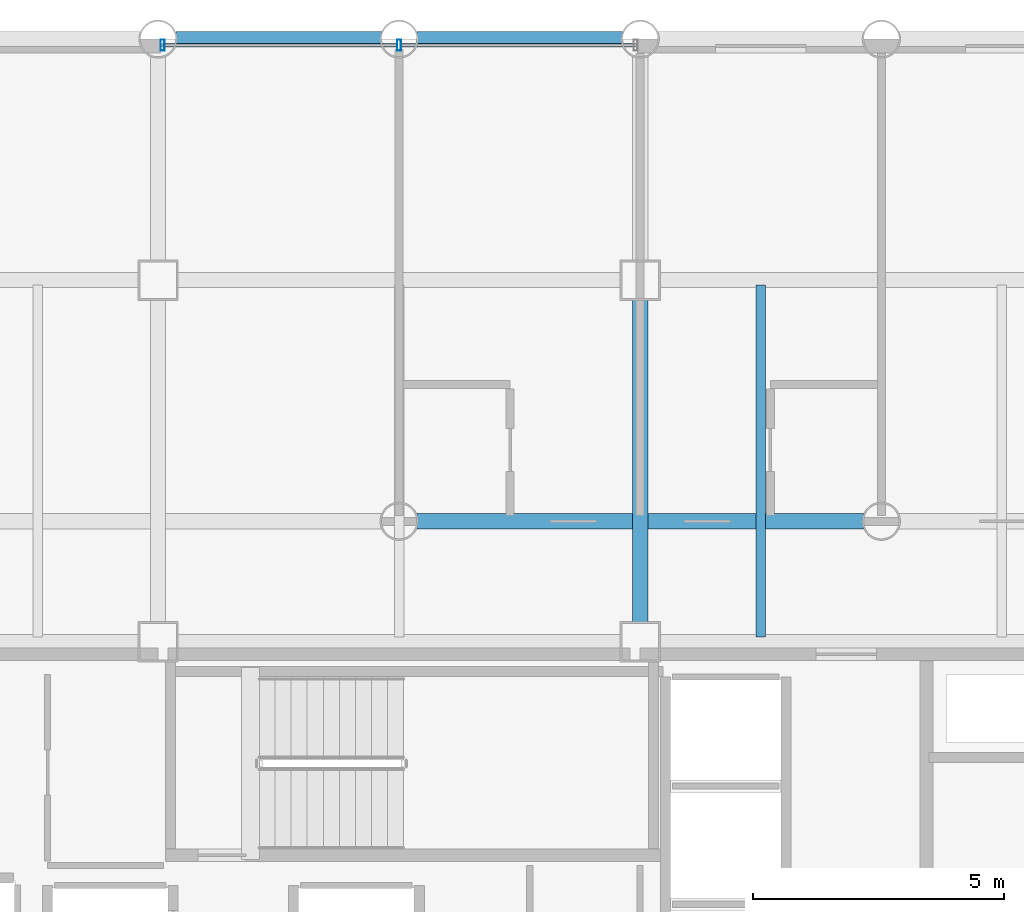
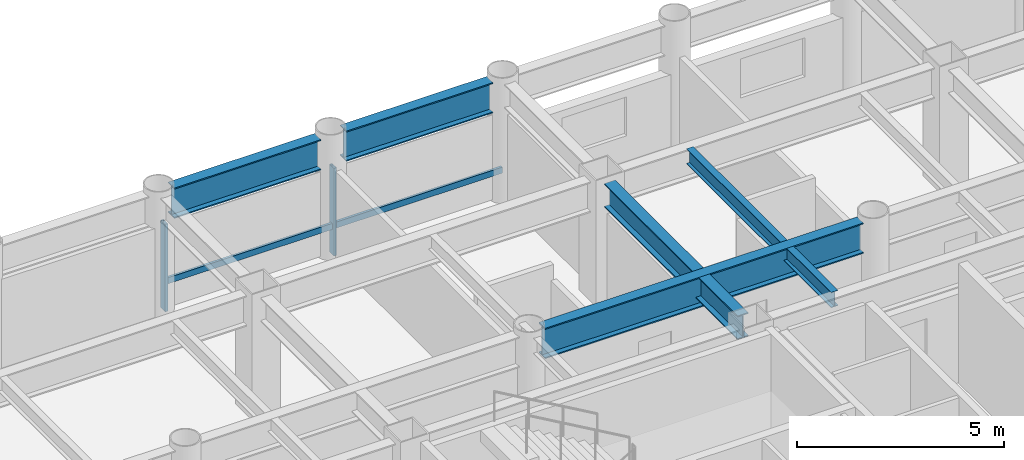
# One storey, part 11 of 19: 5 beams, 4 members, 1 element without a shape of its own.
"""IFC4 building model written with IfcOpenShell, lengths in metres."""

from ifc_helpers import new_model, si_unit, direction, frame, origin, origin_2d, place, context, subcontext, project, spatial, hollow_rectangle, i_section, extrude, material, layer, layer_set, material_profile, profile_set, type_object, element, aggregate, save


model = new_model("IFC4")

# Units and contexts
model_context = context("Model", 3, precision=1e-05, world=origin(), true_north=direction((0.0, 1.0)))
body_context = subcontext(model_context, "Body", "Model", "MODEL_VIEW")
ifc_project = project(units=[si_unit("LENGTHUNIT", "METRE"), si_unit("AREAUNIT", "SQUARE_METRE"), si_unit("VOLUMEUNIT", "CUBIC_METRE"), si_unit("PLANEANGLEUNIT", "RADIAN"), si_unit("MASSUNIT", "GRAM", prefix="KILO")], contexts=[model_context])

# Site, building, storey
site_placement = place(None, origin())
site = spatial("IfcSite", under=ifc_project, at=site_placement, CompositionType="ELEMENT")
building_placement = place(site_placement, origin())
building = spatial("IfcBuilding", under=site, at=building_placement, Name="Kallvorn Hotel Tower", CompositionType="ELEMENT")
storey_placement = place(building_placement, frame((0.0, 0.0, 63.300048828125)))
storey = spatial("IfcBuildingStorey", under=building, at=storey_placement, Name="L14", CompositionType="ELEMENT", Elevation=63.300048828125)

# Beams
ifc_material_1 = material(Name="Structural steel S355JR", Category="steel")
ifc_material_profile_1 = material_profile(ifc_material_1, i_section(OverallWidth=0.300048828125, OverallDepth=0.699951171875, WebThickness=0.01708984375, FlangeThickness=0.031982421875, at=origin_2d()), Name="HE 700 B")
ifc_profile_set_1 = profile_set([ifc_material_profile_1], Name="Structural steel S355JR")
beam_type_1 = type_object("IfcBeamType", Name="BM_HE700B", PredefinedType="BEAM", material=ifc_profile_set_1)
beam_1_placement = place(storey_placement, frame((4.800048828125, 7.574951171875, 3.169921875), z_axis=(0.0, 1.0, 0.0), x_axis=(-1.0, 0.0, 0.0)))
element("IfcBeam", 1, at=beam_1_placement, inside=storey, type_object=beam_type_1, Name="L15 Primary Y-Girder 116", PredefinedType="BEAM", context=body_context, shape_type="SweptSolid", body=[
    extrude(i_section(OverallWidth=0.300048828125, OverallDepth=0.699951171875, WebThickness=0.01708984375, FlangeThickness=0.031982421875, at=origin_2d()), origin(), (0.0, 0.0, 1.0), 6.449951171875),
])
ifc_material_2 = material(Name="Structural steel S355JR", Category="steel")
ifc_material_profile_2 = material_profile(ifc_material_2, i_section(OverallWidth=0.300048828125, OverallDepth=0.89990234375, WebThickness=0.0185546875, FlangeThickness=0.034912109375, at=origin_2d()), Name="HE 900 B")
ifc_profile_set_2 = profile_set([ifc_material_profile_2], Name="Structural steel S355JR")
beam_type_2 = type_object("IfcBeamType", Name="BM_HE900B", PredefinedType="BEAM", material=ifc_profile_set_2)
beam_2_placement = place(storey_placement, frame((0.35595703125, 9.60009765625, 3.070068359375), z_axis=(1.0, 0.0, 0.0), x_axis=(0.0, 1.0, 0.0)))
element("IfcBeam", 2, at=beam_2_placement, inside=storey, type_object=beam_type_2, Name="L15 Primary X-Girder 46", PredefinedType="BEAM", context=body_context, shape_type="SweptSolid", body=[
    extrude(i_section(OverallWidth=0.300048828125, OverallDepth=0.89990234375, WebThickness=0.0185546875, FlangeThickness=0.034912109375, at=origin_2d()), origin(), (0.0, 0.0, 1.0), 8.887939453125),
])
for number, where, z_axis, x_axis, name in (
    (3, (-4.444091796875, 19.199951171875, 3.070068359375), (1.0, 0.0, 0.0), (0.0, 1.0, 0.0), "L15 Primary X-Girder 66"),
    (4, (0.35595703125, 19.199951171875, 3.070068359375), (1.0, 0.0, 0.0), (0.0, 1.0, 0.0), "L15 Primary X-Girder 67"),
):
    element("IfcBeam", number, at=place(storey_placement, frame(where, z_axis=z_axis, x_axis=x_axis)), inside=storey, type_object=beam_type_2, Name=name, PredefinedType="BEAM", context=body_context, shape_type="SweptSolid", body=[
        extrude(i_section(OverallWidth=0.300048828125, OverallDepth=0.89990234375, WebThickness=0.0185546875, FlangeThickness=0.034912109375, at=origin_2d()), origin(), (0.0, 0.0, 1.0), 4.088134765625),
    ])
ifc_material_3 = material(Name="Structural steel S355JR", Category="steel")
ifc_material_profile_3 = material_profile(ifc_material_3, i_section(OverallWidth=0.18994140625, OverallDepth=0.449951171875, WebThickness=0.009521484375, FlangeThickness=0.0146484375, at=origin_2d()), Name="IPE 450")
ifc_profile_set_3 = profile_set([ifc_material_profile_3], Name="Structural steel S355JR")
beam_type_3 = type_object("IfcBeamType", Name="BM_IPE450", PredefinedType="JOIST", material=ifc_profile_set_3)
beam_3_placement = place(storey_placement, frame((7.199951171875, 7.300048828125, 3.294921875), z_axis=(0.0, 1.0, 0.0), x_axis=(-1.0, 0.0, 0.0)))
element("IfcBeam", 5, at=beam_3_placement, inside=storey, type_object=beam_type_3, Name="L15 Secondary Composite Joist 203", PredefinedType="JOIST", context=body_context, shape_type="SweptSolid", body=[
    extrude(i_section(OverallWidth=0.18994140625, OverallDepth=0.449951171875, WebThickness=0.009521484375, FlangeThickness=0.0146484375, at=origin_2d()), origin(), (0.0, 0.0, 1.0), 7.0),
])

# Curtain wall, members
ifc_material_4 = material(Name="Thermally broken black-anodised aluminium AA 6063-T6", Category="aluminium")
ifc_layer = layer(ifc_material_4, 0.199951171875)
ifc_layer_set = layer_set([ifc_layer], Name="CW_SYS_3_HOTEL_LOW")
curtain_wall_type = type_object("IfcCurtainWallType", Name="CW_SYS_3_HOTEL_LOW", PredefinedType="USERDEFINED", material=ifc_layer_set)
curtain_wall_placement = place(storey_placement, origin())
curtain_wall = element("IfcCurtainWall", 6, at=curtain_wall_placement, inside=storey, type_object=curtain_wall_type, Name="L14 Dark-Glass Curtain Wall CW-L14-NC", ObjectType="UNITISED CURTAIN WALL", PredefinedType="USERDEFINED")
ifc_material_5 = material(Name="Thermally broken black-anodised aluminium AA 6063-T6", Category="aluminium")
ifc_material_profile_4 = material_profile(ifc_material_5, hollow_rectangle(XDim=0.080078125, YDim=0.219970703125, WallThickness=0.0048828125, at=origin_2d()), Name="MUL 220x80")
ifc_profile_set_4 = profile_set([ifc_material_profile_4], Name="Thermally broken black-anodised aluminium AA 6063-T6")
member_type_1 = type_object("IfcMemberType", Name="CW_MULLION_220x80", PredefinedType="MULLION", material=ifc_profile_set_4)
member_1_placement = place(storey_placement, frame((-4.7099609375, 19.080078125, 0.02001953125), z_axis=(0.0, 0.0, 1.0), x_axis=(1.0, 0.0, 0.0)))
member_1 = element("IfcMember", 7, at=member_1_placement, type_object=member_type_1, Name="CW-L14-NC Mullion 00", PredefinedType="MULLION", context=body_context, shape_type="SweptSolid", body=[
    extrude(hollow_rectangle(XDim=0.080078125, YDim=0.219970703125, WallThickness=0.0048828125, at=origin_2d()), origin(), (0.0, 0.0, 1.0), 2.579833984375),
])
member_2_placement = place(storey_placement, frame((0.0, 19.080078125, 0.02001953125), z_axis=(0.0, 0.0, 1.0), x_axis=(1.0, 0.0, 0.0)))
member_2 = element("IfcMember", 8, at=member_2_placement, type_object=member_type_1, Name="CW-L14-NC Mullion 01", PredefinedType="MULLION", context=body_context, shape_type="SweptSolid", body=[
    extrude(hollow_rectangle(XDim=0.080078125, YDim=0.219970703125, WallThickness=0.0048828125, at=origin_2d()), origin(), (0.0, 0.0, 1.0), 2.579833984375),
])
ifc_material_6 = material(Name="Thermally broken black-anodised aluminium AA 6063-T6", Category="aluminium")
ifc_material_profile_5 = material_profile(ifc_material_6, hollow_rectangle(XDim=0.070068359375, YDim=0.179931640625, WallThickness=0.00390625, at=origin_2d()), Name="TRN 180x70")
ifc_profile_set_5 = profile_set([ifc_material_profile_5], Name="Thermally broken black-anodised aluminium AA 6063-T6")
member_type_2 = type_object("IfcMemberType", Name="CW_TRANSOM_180x70", PredefinedType="USERDEFINED", material=ifc_profile_set_5)
member_3_placement = place(storey_placement, frame((-4.7099609375, 19.080078125, 0.849853515625), z_axis=(1.0, 0.0, 0.0), x_axis=(0.0, 1.0, 0.0)))
member_3 = element("IfcMember", 9, at=member_3_placement, type_object=member_type_2, Name="CW-L14-NC Transom 00M", ObjectType="TRANSOM", PredefinedType="USERDEFINED", context=body_context, shape_type="SweptSolid", body=[
    extrude(hollow_rectangle(XDim=0.070068359375, YDim=0.179931640625, WallThickness=0.00390625, at=origin_2d()), origin(), (0.0, 0.0, 1.0), 4.669921875),
])
member_4_placement = place(storey_placement, frame((0.0400390625, 19.080078125, 0.849853515625), z_axis=(1.0, 0.0, 0.0), x_axis=(0.0, 1.0, 0.0)))
member_4 = element("IfcMember", 10, at=member_4_placement, type_object=member_type_2, Name="CW-L14-NC Transom 01M", ObjectType="TRANSOM", PredefinedType="USERDEFINED", context=body_context, shape_type="SweptSolid", body=[
    extrude(hollow_rectangle(XDim=0.070068359375, YDim=0.179931640625, WallThickness=0.00390625, at=origin_2d()), origin(), (0.0, 0.0, 1.0), 4.669921875),
])
aggregate(curtain_wall, [member_1, member_2, member_3, member_4])

save(model, "model.ifc")
